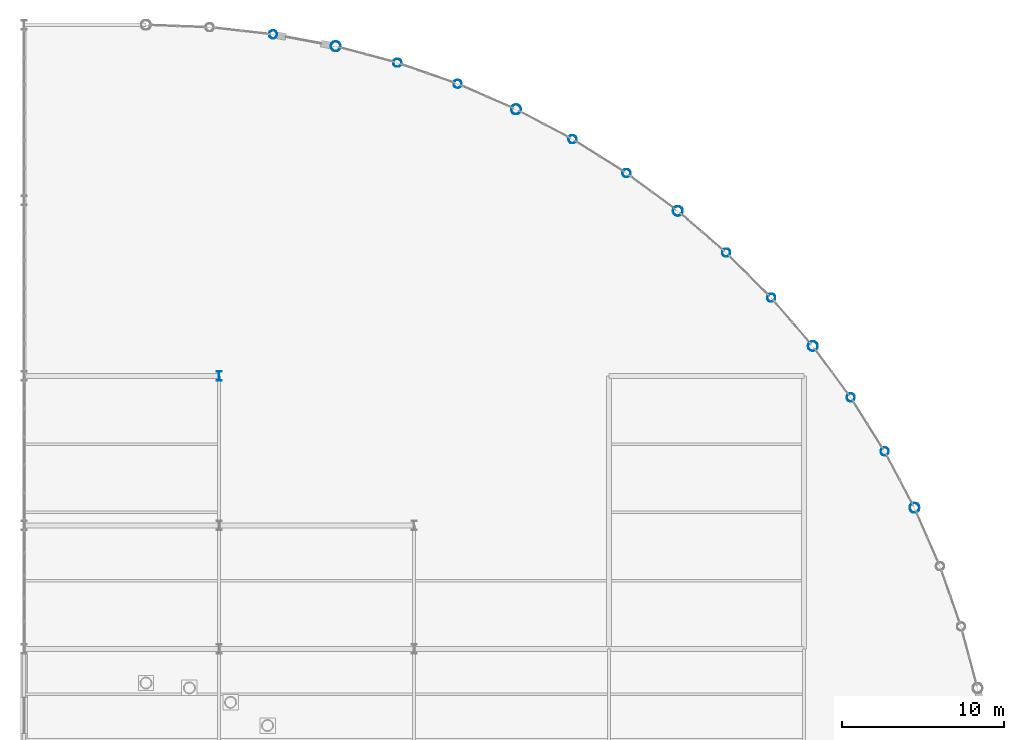
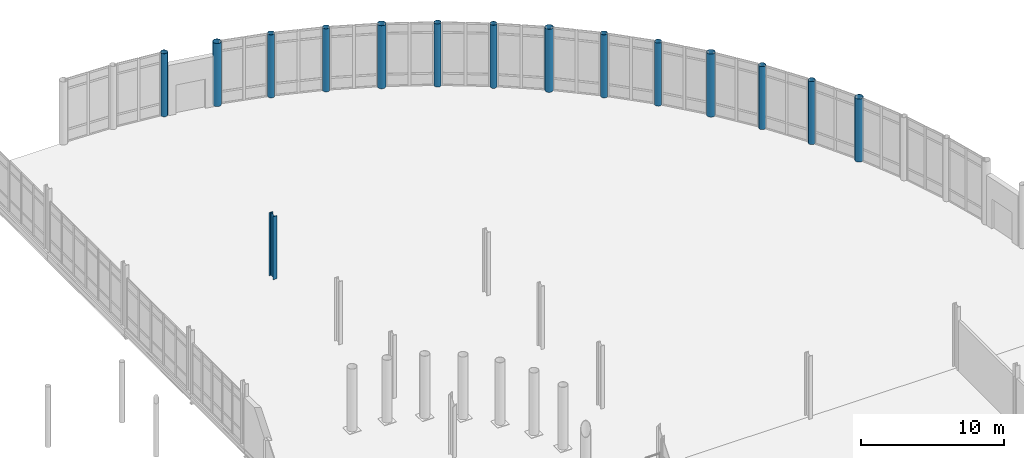
# One storey, part 19 of 111: 15 columns.
"""IFC4 building model written with IfcOpenShell, lengths in metres."""

from ifc_helpers import new_model, si_unit, direction, frame, origin, origin_2d, place, context, subcontext, project, spatial, hollow_circle, i_section, extrude, material, material_profile, profile_set, type_object, element, save


model = new_model("IFC4")

# Units and contexts
model_context = context("Model", 3, precision=1e-05, world=origin(), true_north=direction((0.0, 1.0)))
body_context = subcontext(model_context, "Body", "Model", "MODEL_VIEW")
ifc_project = project(units=[si_unit("LENGTHUNIT", "METRE"), si_unit("AREAUNIT", "SQUARE_METRE"), si_unit("VOLUMEUNIT", "CUBIC_METRE"), si_unit("PLANEANGLEUNIT", "RADIAN"), si_unit("MASSUNIT", "GRAM", prefix="KILO"), si_unit("THERMODYNAMICTEMPERATUREUNIT", "KELVIN"), si_unit("POWERUNIT", "WATT")], contexts=[model_context])

# Site, building, storey
site_placement = place(None, origin())
site = spatial("IfcSite", under=ifc_project, at=site_placement, CompositionType="ELEMENT")
building_placement = place(site_placement, origin())
building = spatial("IfcBuilding", under=site, at=building_placement, Name="Tembeka Court Mobility Hub", CompositionType="ELEMENT")
storey_placement = place(building_placement, origin())
storey = spatial("IfcBuildingStorey", under=building, at=storey_placement, Name="L00", CompositionType="ELEMENT", Elevation=0.0)

# Columns
ifc_material = material(Name="Steel S355", Category="steel")
ifc_material_profile_1 = material_profile(ifc_material, i_section(OverallWidth=0.300048828125, OverallDepth=0.60009765625, WebThickness=0.015380859375, FlangeThickness=0.030029296875, FilletRadius=0.027099609375, at=origin_2d()), Name="HEB 600")
ifc_profile_set_1 = profile_set([ifc_material_profile_1], Name="Steel S355")
column_type_1 = type_object("IfcColumnType", Name="COL-C06", PredefinedType="COLUMN", material=ifc_profile_set_1)
column_placement = place(storey_placement, frame((128.39990234375, 97.199951171875, 0.0), z_axis=(0.0, 0.0, 1.0), x_axis=(1.0, 0.0, 0.0)))
element("IfcColumn", 1, at=column_placement, inside=storey, type_object=column_type_1, Name="Column C06 (L00-183)", PredefinedType="COLUMN", context=body_context, shape_type="SweptSolid", body=[
    extrude(i_section(OverallWidth=0.300048828125, OverallDepth=0.60009765625, WebThickness=0.015380859375, FlangeThickness=0.030029296875, FilletRadius=0.027099609375, at=origin_2d()), origin(), (0.0, 0.0, 1.0), 5.39990234375),
])
ifc_material_profile_2 = material_profile(ifc_material, hollow_circle(Radius=0.304931640625, WallThickness=0.02001953125, at=origin_2d()), Name="CHS 610x20")
ifc_profile_set_2 = profile_set([ifc_material_profile_2], Name="Steel S355")
column_type_2 = type_object("IfcColumnType", Name="COL-C07", PredefinedType="COLUMN", material=ifc_profile_set_2)
for number, where, z_axis, x_axis, name in (
    (2, (135.582275390625, 117.483642578125, 0.0), (0.0, 0.0, 1.0), (1.0, 0.0, 0.0), "Column C07 (L00-189)"),
    (3, (146.678955078125, 113.600830078125, 0.0), (0.0, 0.0, 1.0), (1.0, 0.0, 0.0), "Column C07 (L00-204)"),
    (4, (156.63330078125, 107.34619140625, 0.0), (0.0, 0.0, 1.0), (1.0, 0.0, 0.0), "Column C07 (L00-217)"),
    (5, (164.9462890625, 99.033203125, 0.0), (0.0, 0.0, 1.0), (1.0, 0.0, 0.0), "Column C07 (L00-230)"),
    (6, (171.200927734375, 89.078857421875, 0.0), (0.0, 0.0, 1.0), (1.0, 0.0, 0.0), "Column C07 (L00-233)"),
):
    element("IfcColumn", number, at=place(storey_placement, frame(where, z_axis=z_axis, x_axis=x_axis)), inside=storey, type_object=column_type_2, Name=name, PredefinedType="COLUMN", context=body_context, shape_type="SweptSolid", body=[
        extrude(hollow_circle(Radius=0.304931640625, WallThickness=0.02001953125, at=origin_2d()), origin(), (0.0, 0.0, 1.0), 5.39990234375),
    ])
ifc_material_profile_3 = material_profile(ifc_material, hollow_circle(Radius=0.25390625, WallThickness=0.01611328125, at=origin_2d()), Name="CHS 508x16")
ifc_profile_set_3 = profile_set([ifc_material_profile_3], Name="Steel S355")
column_type_3 = type_object("IfcColumnType", Name="COL-C08", PredefinedType="COLUMN", material=ifc_profile_set_3)
for number, where, z_axis, x_axis, name in (
    (7, (131.724609375, 118.213623046875, 0.0), (0.0, 0.0, 1.0), (1.0, 0.0, 0.0), "Column C08 (L00-186)"),
    (8, (139.37451171875, 116.467529296875, 0.0), (0.0, 0.0, 1.0), (1.0, 0.0, 0.0), "Column C08 (L00-192)"),
    (9, (143.080322265625, 115.1708984375, 0.0), (0.0, 0.0, 1.0), (1.0, 0.0, 0.0), "Column C08 (L00-203)"),
    (10, (150.14990234375, 111.766357421875, 0.0), (0.0, 0.0, 1.0), (1.0, 0.0, 0.0), "Column C08 (L00-205)"),
    (11, (153.474365234375, 109.677490234375, 0.0), (0.0, 0.0, 1.0), (1.0, 0.0, 0.0), "Column C08 (L00-216)"),
    (12, (159.609130859375, 104.78515625, 0.0), (0.0, 0.0, 1.0), (1.0, 0.0, 0.0), "Column C08 (L00-218)"),
    (13, (162.38525390625, 102.009033203125, 0.0), (0.0, 0.0, 1.0), (1.0, 0.0, 0.0), "Column C08 (L00-219)"),
    (14, (167.277587890625, 95.874267578125, 0.0), (0.0, 0.0, 1.0), (1.0, 0.0, 0.0), "Column C08 (L00-231)"),
    (15, (169.3662109375, 92.550048828125, 0.0), (0.0, 0.0, 1.0), (1.0, 0.0, 0.0), "Column C08 (L00-232)"),
):
    element("IfcColumn", number, at=place(storey_placement, frame(where, z_axis=z_axis, x_axis=x_axis)), inside=storey, type_object=column_type_3, Name=name, PredefinedType="COLUMN", context=body_context, shape_type="SweptSolid", body=[
        extrude(hollow_circle(Radius=0.25390625, WallThickness=0.01611328125, at=origin_2d()), origin(), (0.0, 0.0, 1.0), 5.39990234375),
    ])

save(model, "model.ifc")
